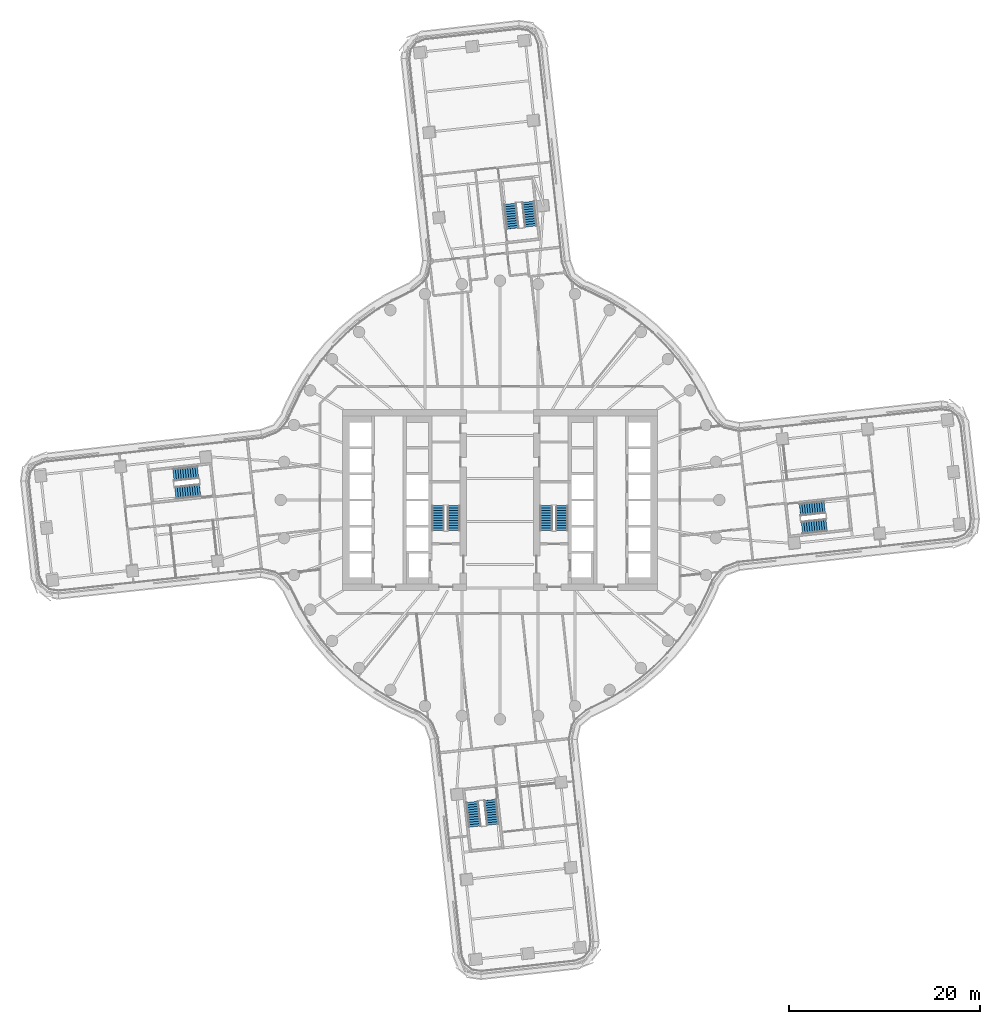
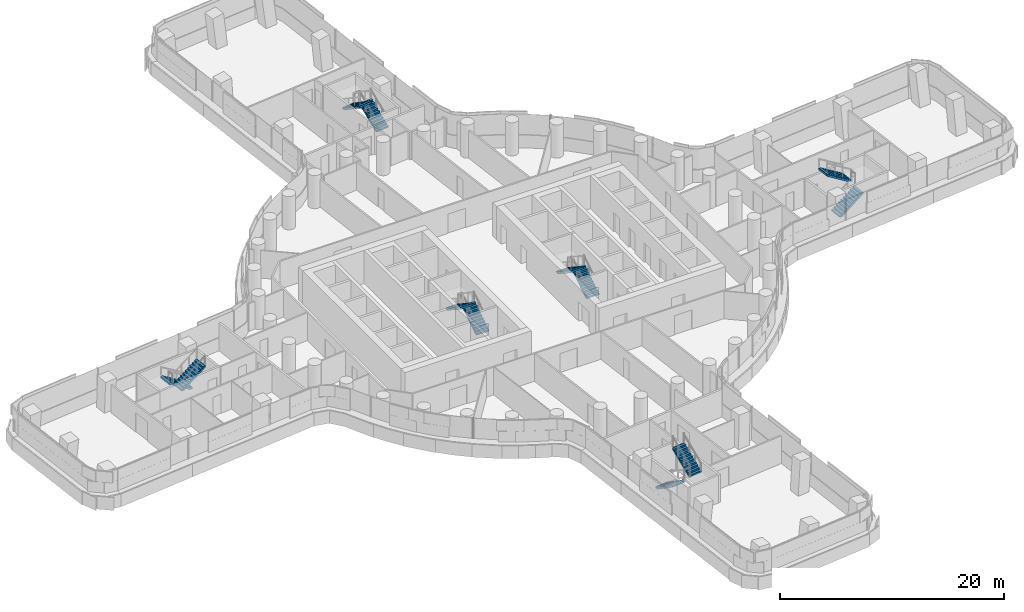
# One storey, part 24 of 31: 12 stair flights, 6 elements without a shape of their own.
"""IFC4 building model written with IfcOpenShell, lengths in metres."""

from ifc_helpers import new_model, si_unit, direction, frame, origin, place, context, subcontext, project, spatial, polyline, outline, extrude, material, type_object, element, aggregate, save


model = new_model("IFC4")

# Units and contexts
model_context = context("Model", 3, precision=1e-05, world=origin(), true_north=direction((0.0, 1.0)))
body_context = subcontext(model_context, "Body", "Model", "MODEL_VIEW")
ifc_project = project(units=[si_unit("LENGTHUNIT", "METRE"), si_unit("AREAUNIT", "SQUARE_METRE"), si_unit("VOLUMEUNIT", "CUBIC_METRE"), si_unit("PLANEANGLEUNIT", "RADIAN"), si_unit("MASSUNIT", "GRAM", prefix="KILO")], contexts=[model_context])

# Site, building, storey
site_placement = place(None, origin())
site = spatial("IfcSite", under=ifc_project, at=site_placement, CompositionType="ELEMENT")
building_placement = place(site_placement, origin())
building = spatial("IfcBuilding", under=site, at=building_placement, Name="Tamarind Cross Interchange Tower", CompositionType="ELEMENT")
storey_placement = place(building_placement, frame((0.0, 0.0, 56.5)))
storey = spatial("IfcBuildingStorey", under=building, at=storey_placement, Name="L12", CompositionType="ELEMENT", Elevation=56.5)

# Stair, stair flights
ifc_material_1 = material(Name="Exit stair")
stair_type = type_object("IfcStairType", Name="Exit stair", PredefinedType="HALF_TURN_STAIR", material=ifc_material_1)
stair_1_placement = place(storey_placement, origin())
stair_1 = element("IfcStair", 1, at=stair_1_placement, inside=storey, type_object=stair_type, Name="L12 exit stair ST1", PredefinedType="HALF_TURN_STAIR")
ifc_material_2 = material(Name="Exit stair flight")
stair_flight_type = type_object("IfcStairFlightType", Name="Exit stair flight", PredefinedType="STRAIGHT", material=ifc_material_2)
stair_flight_1_placement = place(storey_placement, frame((-4.85009765625, -3.199951171875, 0.0), z_axis=(0.0, 0.0, 1.0), x_axis=(0.0, 1.0, 0.0)))
stair_flight_1 = element("IfcStairFlight", 2, at=stair_flight_1_placement, type_object=stair_flight_type, Name="ST1 flight 1", NumberOfRisers=11, NumberOfTreads=10, PredefinedType="STRAIGHT", RiserHeight=0.170454545, TreadLength=0.26, context=body_context, shape_type="SweptSolid", body=[
    extrude(outline(polyline([(0.0, 0.0), (0.0, 0.17041015625), (0.260009765625, 0.17041015625), (0.260009765625, 0.3408203125), (0.52001953125, 0.3408203125), (0.52001953125, 0.511474609375), (0.780029296875, 0.511474609375), (0.780029296875, 0.681884765625), (1.0400390625, 0.681884765625), (1.0400390625, 0.852294921875), (1.300048828125, 0.852294921875), (1.300048828125, 1.022705078125), (1.56005859375, 1.022705078125), (1.56005859375, 1.193115234375), (1.820068359375, 1.193115234375), (1.820068359375, 1.363525390625), (2.080078125, 1.363525390625), (2.080078125, 1.5341796875), (2.340087890625, 1.5341796875), (2.340087890625, 1.70458984375), (2.60009765625, 1.70458984375), (2.60009765625, 1.875), (2.60009765625, 1.525390625), (0.2734375, 0.0), (0.0, 0.0)])), frame((0.0, 0.64990234375, 0.0), z_axis=(0.0, -1.0, 0.0), x_axis=(1.0, 0.0, 0.0)), (0.0, 0.0, 1.0), 1.300048828125),
])
stair_flight_2_placement = place(storey_placement, frame((-6.5, -0.60009765625, 1.875), z_axis=(0.0, 0.0, 1.0), x_axis=(0.0, -1.0, 0.0)))
stair_flight_2 = element("IfcStairFlight", 3, at=stair_flight_2_placement, type_object=stair_flight_type, Name="ST1 flight 2", NumberOfRisers=11, NumberOfTreads=10, PredefinedType="STRAIGHT", RiserHeight=0.170454545, TreadLength=0.26, context=body_context, shape_type="SweptSolid", body=[
    extrude(outline(polyline([(0.0, 0.0), (0.0, 0.17041015625), (0.260009765625, 0.17041015625), (0.260009765625, 0.3408203125), (0.52001953125, 0.3408203125), (0.52001953125, 0.511474609375), (0.780029296875, 0.511474609375), (0.780029296875, 0.681884765625), (1.0400390625, 0.681884765625), (1.0400390625, 0.852294921875), (1.300048828125, 0.852294921875), (1.300048828125, 1.022705078125), (1.56005859375, 1.022705078125), (1.56005859375, 1.193115234375), (1.820068359375, 1.193115234375), (1.820068359375, 1.363525390625), (2.080078125, 1.363525390625), (2.080078125, 1.5341796875), (2.340087890625, 1.5341796875), (2.340087890625, 1.70458984375), (2.60009765625, 1.70458984375), (2.60009765625, 1.7548828125), (2.612060546875, 1.7548828125), (2.612060546875, 1.533203125), (0.2734375, 0.0), (0.0, 0.0)])), frame((0.0, 0.64990234375, 0.0), z_axis=(0.0, -1.0, 0.0), x_axis=(1.0, 0.0, 0.0)), (0.0, 0.0, 1.0), 1.300048828125),
])
aggregate(stair_1, [stair_flight_1, stair_flight_2])

stair_2_placement = place(storey_placement, origin())
stair_2 = element("IfcStair", 4, at=stair_2_placement, inside=storey, type_object=stair_type, Name="L12 exit stair ST2", PredefinedType="HALF_TURN_STAIR")
stair_flight_3_placement = place(storey_placement, frame((6.5, -3.199951171875, 0.0), z_axis=(0.0, 0.0, 1.0), x_axis=(0.0, 1.0, 0.0)))
stair_flight_3 = element("IfcStairFlight", 5, at=stair_flight_3_placement, type_object=stair_flight_type, Name="ST2 flight 1", NumberOfRisers=11, NumberOfTreads=10, PredefinedType="STRAIGHT", RiserHeight=0.170454545, TreadLength=0.26, context=body_context, shape_type="SweptSolid", body=[
    extrude(outline(polyline([(0.0, 0.0), (0.0, 0.17041015625), (0.260009765625, 0.17041015625), (0.260009765625, 0.3408203125), (0.52001953125, 0.3408203125), (0.52001953125, 0.511474609375), (0.780029296875, 0.511474609375), (0.780029296875, 0.681884765625), (1.0400390625, 0.681884765625), (1.0400390625, 0.852294921875), (1.300048828125, 0.852294921875), (1.300048828125, 1.022705078125), (1.56005859375, 1.022705078125), (1.56005859375, 1.193115234375), (1.820068359375, 1.193115234375), (1.820068359375, 1.363525390625), (2.080078125, 1.363525390625), (2.080078125, 1.5341796875), (2.340087890625, 1.5341796875), (2.340087890625, 1.70458984375), (2.60009765625, 1.70458984375), (2.60009765625, 1.875), (2.60009765625, 1.525390625), (0.2734375, 0.0), (0.0, 0.0)])), frame((0.0, 0.64990234375, 0.0), z_axis=(0.0, -1.0, 0.0), x_axis=(1.0, 0.0, 0.0)), (0.0, 0.0, 1.0), 1.300048828125),
])
stair_flight_4_placement = place(storey_placement, frame((4.85009765625, -0.60009765625, 1.875), z_axis=(0.0, 0.0, 1.0), x_axis=(0.0, -1.0, 0.0)))
stair_flight_4 = element("IfcStairFlight", 6, at=stair_flight_4_placement, type_object=stair_flight_type, Name="ST2 flight 2", NumberOfRisers=11, NumberOfTreads=10, PredefinedType="STRAIGHT", RiserHeight=0.170454545, TreadLength=0.26, context=body_context, shape_type="SweptSolid", body=[
    extrude(outline(polyline([(0.0, 0.0), (0.0, 0.17041015625), (0.260009765625, 0.17041015625), (0.260009765625, 0.3408203125), (0.52001953125, 0.3408203125), (0.52001953125, 0.511474609375), (0.780029296875, 0.511474609375), (0.780029296875, 0.681884765625), (1.0400390625, 0.681884765625), (1.0400390625, 0.852294921875), (1.300048828125, 0.852294921875), (1.300048828125, 1.022705078125), (1.56005859375, 1.022705078125), (1.56005859375, 1.193115234375), (1.820068359375, 1.193115234375), (1.820068359375, 1.363525390625), (2.080078125, 1.363525390625), (2.080078125, 1.5341796875), (2.340087890625, 1.5341796875), (2.340087890625, 1.70458984375), (2.60009765625, 1.70458984375), (2.60009765625, 1.7548828125), (2.612060546875, 1.7548828125), (2.612060546875, 1.533203125), (0.2734375, 0.0), (0.0, 0.0)])), frame((0.0, 0.64990234375, 0.0), z_axis=(0.0, -1.0, 0.0), x_axis=(1.0, 0.0, 0.0)), (0.0, 0.0, 1.0), 1.300048828125),
])
aggregate(stair_2, [stair_flight_3, stair_flight_4])

stair_3_placement = place(storey_placement, origin())
stair_3 = element("IfcStair", 7, at=stair_3_placement, inside=storey, type_object=stair_type, Name="L12 exit stair ST3", PredefinedType="HALF_TURN_STAIR")
stair_flight_5_placement = place(storey_placement, frame((31.67578125, -2.910888671875, 0.0), z_axis=(0.0, 0.0, 1.0), x_axis=(0.994020563105, 0.109193040639, 0.0)))
stair_flight_5 = element("IfcStairFlight", 8, at=stair_flight_5_placement, type_object=stair_flight_type, Name="ST3 flight 1", NumberOfRisers=11, NumberOfTreads=10, PredefinedType="STRAIGHT", RiserHeight=0.170454545, TreadLength=0.26, context=body_context, shape_type="SweptSolid", body=[
    extrude(outline(polyline([(0.0, 0.0), (0.0, 0.17041015625), (0.260009765625, 0.17041015625), (0.260009765625, 0.3408203125), (0.52001953125, 0.3408203125), (0.52001953125, 0.511474609375), (0.780029296875, 0.511474609375), (0.780029296875, 0.681884765625), (1.0400390625, 0.681884765625), (1.0400390625, 0.852294921875), (1.300048828125, 0.852294921875), (1.300048828125, 1.022705078125), (1.56005859375, 1.022705078125), (1.56005859375, 1.193115234375), (1.820068359375, 1.193115234375), (1.820068359375, 1.363525390625), (2.080078125, 1.363525390625), (2.080078125, 1.5341796875), (2.340087890625, 1.5341796875), (2.340087890625, 1.70458984375), (2.60009765625, 1.70458984375), (2.60009765625, 1.875), (2.60009765625, 1.525390625), (0.2734375, 0.0), (0.0, 0.0)])), frame((0.0, 0.64990234375, 0.0), z_axis=(0.0, -1.0, 0.0), x_axis=(1.0, 0.0, 0.0)), (0.0, 0.0, 1.0), 1.300048828125),
])
stair_flight_6_placement = place(storey_placement, frame((34.052734375, -0.73828125, 1.875), z_axis=(0.0, 0.0, 1.0), x_axis=(-0.994020563105, -0.109193040639, 0.0)))
stair_flight_6 = element("IfcStairFlight", 9, at=stair_flight_6_placement, type_object=stair_flight_type, Name="ST3 flight 2", NumberOfRisers=11, NumberOfTreads=10, PredefinedType="STRAIGHT", RiserHeight=0.170454545, TreadLength=0.26, context=body_context, shape_type="SweptSolid", body=[
    extrude(outline(polyline([(0.0, 0.0), (0.0, 0.17041015625), (0.260009765625, 0.17041015625), (0.260009765625, 0.3408203125), (0.52001953125, 0.3408203125), (0.52001953125, 0.511474609375), (0.780029296875, 0.511474609375), (0.780029296875, 0.681884765625), (1.0400390625, 0.681884765625), (1.0400390625, 0.852294921875), (1.300048828125, 0.852294921875), (1.300048828125, 1.022705078125), (1.56005859375, 1.022705078125), (1.56005859375, 1.193115234375), (1.820068359375, 1.193115234375), (1.820068359375, 1.363525390625), (2.080078125, 1.363525390625), (2.080078125, 1.5341796875), (2.340087890625, 1.5341796875), (2.340087890625, 1.70458984375), (2.60009765625, 1.70458984375), (2.60009765625, 1.7548828125), (2.612060546875, 1.7548828125), (2.612060546875, 1.533203125), (0.2734375, 0.0), (0.0, 0.0)])), frame((0.0, 0.64990234375, 0.0), z_axis=(0.0, -1.0, 0.0), x_axis=(1.0, 0.0, 0.0)), (0.0, 0.0, 1.0), 1.300048828125),
])
aggregate(stair_3, [stair_flight_5, stair_flight_6])

stair_4_placement = place(storey_placement, origin())
stair_4 = element("IfcStair", 10, at=stair_4_placement, inside=storey, type_object=stair_type, Name="L12 exit stair ST4", PredefinedType="HALF_TURN_STAIR")
stair_flight_7_placement = place(storey_placement, frame((3.238525390625, 28.693603515625, 0.0), z_axis=(0.0, 0.0, 1.0), x_axis=(-0.109193040639, 0.994020563105, 0.0)))
stair_flight_7 = element("IfcStairFlight", 11, at=stair_flight_7_placement, type_object=stair_flight_type, Name="ST4 flight 1", NumberOfRisers=11, NumberOfTreads=10, PredefinedType="STRAIGHT", RiserHeight=0.170454545, TreadLength=0.26, context=body_context, shape_type="SweptSolid", body=[
    extrude(outline(polyline([(0.0, 0.0), (0.0, 0.17041015625), (0.260009765625, 0.17041015625), (0.260009765625, 0.3408203125), (0.52001953125, 0.3408203125), (0.52001953125, 0.511474609375), (0.780029296875, 0.511474609375), (0.780029296875, 0.681884765625), (1.0400390625, 0.681884765625), (1.0400390625, 0.852294921875), (1.300048828125, 0.852294921875), (1.300048828125, 1.022705078125), (1.56005859375, 1.022705078125), (1.56005859375, 1.193115234375), (1.820068359375, 1.193115234375), (1.820068359375, 1.363525390625), (2.080078125, 1.363525390625), (2.080078125, 1.5341796875), (2.340087890625, 1.5341796875), (2.340087890625, 1.70458984375), (2.60009765625, 1.70458984375), (2.60009765625, 1.875), (2.60009765625, 1.525390625), (0.2734375, 0.0), (0.0, 0.0)])), frame((0.0, 0.64990234375, 0.0), z_axis=(0.0, -1.0, 0.0), x_axis=(1.0, 0.0, 0.0)), (0.0, 0.0, 1.0), 1.300048828125),
])
stair_flight_8_placement = place(storey_placement, frame((1.06591796875, 31.070556640625, 1.875), z_axis=(0.0, 0.0, 1.0), x_axis=(0.109193040639, -0.994020563105, 0.0)))
stair_flight_8 = element("IfcStairFlight", 12, at=stair_flight_8_placement, type_object=stair_flight_type, Name="ST4 flight 2", NumberOfRisers=11, NumberOfTreads=10, PredefinedType="STRAIGHT", RiserHeight=0.170454545, TreadLength=0.26, context=body_context, shape_type="SweptSolid", body=[
    extrude(outline(polyline([(0.0, 0.0), (0.0, 0.17041015625), (0.260009765625, 0.17041015625), (0.260009765625, 0.3408203125), (0.52001953125, 0.3408203125), (0.52001953125, 0.511474609375), (0.780029296875, 0.511474609375), (0.780029296875, 0.681884765625), (1.0400390625, 0.681884765625), (1.0400390625, 0.852294921875), (1.300048828125, 0.852294921875), (1.300048828125, 1.022705078125), (1.56005859375, 1.022705078125), (1.56005859375, 1.193115234375), (1.820068359375, 1.193115234375), (1.820068359375, 1.363525390625), (2.080078125, 1.363525390625), (2.080078125, 1.5341796875), (2.340087890625, 1.5341796875), (2.340087890625, 1.70458984375), (2.60009765625, 1.70458984375), (2.60009765625, 1.7548828125), (2.612060546875, 1.7548828125), (2.612060546875, 1.533203125), (0.2734375, 0.0), (0.0, 0.0)])), frame((0.0, 0.64990234375, 0.0), z_axis=(0.0, -1.0, 0.0), x_axis=(1.0, 0.0, 0.0)), (0.0, 0.0, 1.0), 1.300048828125),
])
aggregate(stair_4, [stair_flight_7, stair_flight_8])

stair_5_placement = place(storey_placement, origin())
stair_5 = element("IfcStair", 13, at=stair_5_placement, inside=storey, type_object=stair_type, Name="L12 exit stair ST5", PredefinedType="HALF_TURN_STAIR")
stair_flight_9_placement = place(storey_placement, frame((-31.67578125, 2.910888671875, 0.0), z_axis=(0.0, 0.0, 1.0), x_axis=(-0.994020563105, -0.109193040639, 0.0)))
stair_flight_9 = element("IfcStairFlight", 14, at=stair_flight_9_placement, type_object=stair_flight_type, Name="ST5 flight 1", NumberOfRisers=11, NumberOfTreads=10, PredefinedType="STRAIGHT", RiserHeight=0.170454545, TreadLength=0.26, context=body_context, shape_type="SweptSolid", body=[
    extrude(outline(polyline([(0.0, 0.0), (0.0, 0.17041015625), (0.260009765625, 0.17041015625), (0.260009765625, 0.3408203125), (0.52001953125, 0.3408203125), (0.52001953125, 0.511474609375), (0.780029296875, 0.511474609375), (0.780029296875, 0.681884765625), (1.0400390625, 0.681884765625), (1.0400390625, 0.852294921875), (1.300048828125, 0.852294921875), (1.300048828125, 1.022705078125), (1.56005859375, 1.022705078125), (1.56005859375, 1.193115234375), (1.820068359375, 1.193115234375), (1.820068359375, 1.363525390625), (2.080078125, 1.363525390625), (2.080078125, 1.5341796875), (2.340087890625, 1.5341796875), (2.340087890625, 1.70458984375), (2.60009765625, 1.70458984375), (2.60009765625, 1.875), (2.60009765625, 1.525390625), (0.2734375, 0.0), (0.0, 0.0)])), frame((0.0, 0.64990234375, 0.0), z_axis=(0.0, -1.0, 0.0), x_axis=(1.0, 0.0, 0.0)), (0.0, 0.0, 1.0), 1.300048828125),
])
stair_flight_10_placement = place(storey_placement, frame((-34.052734375, 0.73828125, 1.875), z_axis=(0.0, 0.0, 1.0), x_axis=(0.994020563105, 0.109193040639, 0.0)))
stair_flight_10 = element("IfcStairFlight", 15, at=stair_flight_10_placement, type_object=stair_flight_type, Name="ST5 flight 2", NumberOfRisers=11, NumberOfTreads=10, PredefinedType="STRAIGHT", RiserHeight=0.170454545, TreadLength=0.26, context=body_context, shape_type="SweptSolid", body=[
    extrude(outline(polyline([(0.0, 0.0), (0.0, 0.17041015625), (0.260009765625, 0.17041015625), (0.260009765625, 0.3408203125), (0.52001953125, 0.3408203125), (0.52001953125, 0.511474609375), (0.780029296875, 0.511474609375), (0.780029296875, 0.681884765625), (1.0400390625, 0.681884765625), (1.0400390625, 0.852294921875), (1.300048828125, 0.852294921875), (1.300048828125, 1.022705078125), (1.56005859375, 1.022705078125), (1.56005859375, 1.193115234375), (1.820068359375, 1.193115234375), (1.820068359375, 1.363525390625), (2.080078125, 1.363525390625), (2.080078125, 1.5341796875), (2.340087890625, 1.5341796875), (2.340087890625, 1.70458984375), (2.60009765625, 1.70458984375), (2.60009765625, 1.7548828125), (2.612060546875, 1.7548828125), (2.612060546875, 1.533203125), (0.2734375, 0.0), (0.0, 0.0)])), frame((0.0, 0.64990234375, 0.0), z_axis=(0.0, -1.0, 0.0), x_axis=(1.0, 0.0, 0.0)), (0.0, 0.0, 1.0), 1.300048828125),
])
aggregate(stair_5, [stair_flight_9, stair_flight_10])

stair_6_placement = place(storey_placement, origin())
stair_6 = element("IfcStair", 16, at=stair_6_placement, inside=storey, type_object=stair_type, Name="L12 exit stair ST6", PredefinedType="HALF_TURN_STAIR")
stair_flight_11_placement = place(storey_placement, frame((-2.910888671875, -31.67578125, 0.0), z_axis=(0.0, 0.0, 1.0), x_axis=(0.109193040639, -0.994020563105, 0.0)))
stair_flight_11 = element("IfcStairFlight", 17, at=stair_flight_11_placement, type_object=stair_flight_type, Name="ST6 flight 1", NumberOfRisers=11, NumberOfTreads=10, PredefinedType="STRAIGHT", RiserHeight=0.170454545, TreadLength=0.26, context=body_context, shape_type="SweptSolid", body=[
    extrude(outline(polyline([(0.0, 0.0), (0.0, 0.17041015625), (0.260009765625, 0.17041015625), (0.260009765625, 0.3408203125), (0.52001953125, 0.3408203125), (0.52001953125, 0.511474609375), (0.780029296875, 0.511474609375), (0.780029296875, 0.681884765625), (1.0400390625, 0.681884765625), (1.0400390625, 0.852294921875), (1.300048828125, 0.852294921875), (1.300048828125, 1.022705078125), (1.56005859375, 1.022705078125), (1.56005859375, 1.193115234375), (1.820068359375, 1.193115234375), (1.820068359375, 1.363525390625), (2.080078125, 1.363525390625), (2.080078125, 1.5341796875), (2.340087890625, 1.5341796875), (2.340087890625, 1.70458984375), (2.60009765625, 1.70458984375), (2.60009765625, 1.875), (2.60009765625, 1.525390625), (0.2734375, 0.0), (0.0, 0.0)])), frame((0.0, 0.64990234375, 0.0), z_axis=(0.0, -1.0, 0.0), x_axis=(1.0, 0.0, 0.0)), (0.0, 0.0, 1.0), 1.300048828125),
])
stair_flight_12_placement = place(storey_placement, frame((-0.73828125, -34.052734375, 1.875), z_axis=(0.0, 0.0, 1.0), x_axis=(-0.109193040639, 0.994020563105, 0.0)))
stair_flight_12 = element("IfcStairFlight", 18, at=stair_flight_12_placement, type_object=stair_flight_type, Name="ST6 flight 2", NumberOfRisers=11, NumberOfTreads=10, PredefinedType="STRAIGHT", RiserHeight=0.170454545, TreadLength=0.26, context=body_context, shape_type="SweptSolid", body=[
    extrude(outline(polyline([(0.0, 0.0), (0.0, 0.17041015625), (0.260009765625, 0.17041015625), (0.260009765625, 0.3408203125), (0.52001953125, 0.3408203125), (0.52001953125, 0.511474609375), (0.780029296875, 0.511474609375), (0.780029296875, 0.681884765625), (1.0400390625, 0.681884765625), (1.0400390625, 0.852294921875), (1.300048828125, 0.852294921875), (1.300048828125, 1.022705078125), (1.56005859375, 1.022705078125), (1.56005859375, 1.193115234375), (1.820068359375, 1.193115234375), (1.820068359375, 1.363525390625), (2.080078125, 1.363525390625), (2.080078125, 1.5341796875), (2.340087890625, 1.5341796875), (2.340087890625, 1.70458984375), (2.60009765625, 1.70458984375), (2.60009765625, 1.7548828125), (2.612060546875, 1.7548828125), (2.612060546875, 1.533203125), (0.2734375, 0.0), (0.0, 0.0)])), frame((0.0, 0.64990234375, 0.0), z_axis=(0.0, -1.0, 0.0), x_axis=(1.0, 0.0, 0.0)), (0.0, 0.0, 1.0), 1.300048828125),
])
aggregate(stair_6, [stair_flight_11, stair_flight_12])

save(model, "model.ifc")
